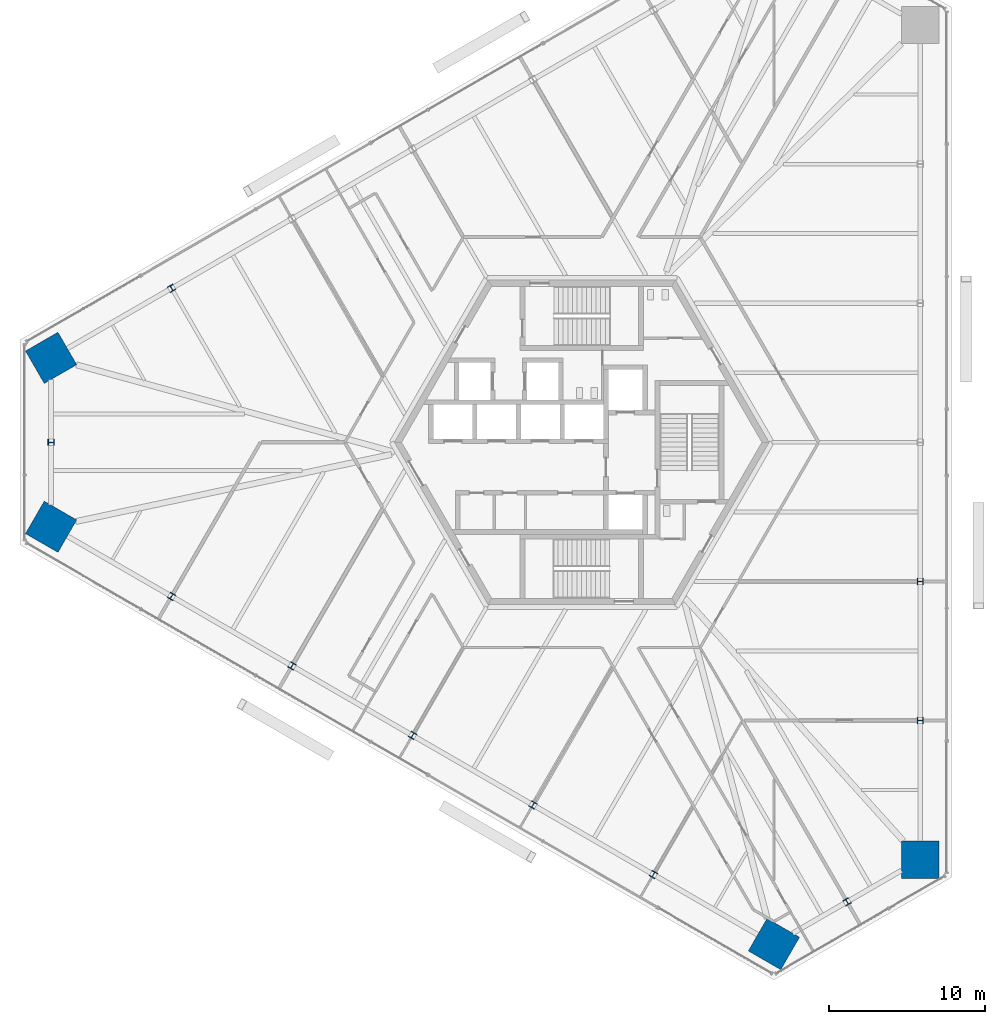
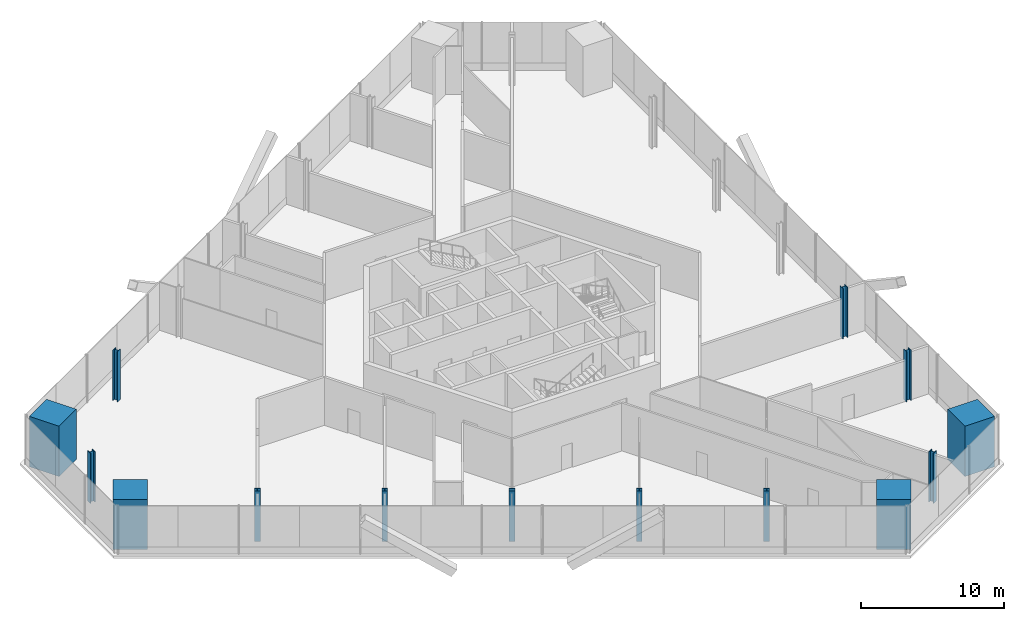
# One storey, part 1 of 16: 14 columns.
"""IFC4 building model written with IfcOpenShell, lengths in metres."""

from ifc_helpers import new_model, si_unit, direction, frame, origin, origin_2d, place, context, subcontext, project, spatial, rectangle, i_section, extrude, source, transform, mapped, material, material_profile, profile_set, type_object, element, save


model = new_model("IFC4")

# Units and contexts
model_context = context("Model", 3, precision=1e-05, world=origin(), true_north=direction((0.0, 1.0)))
body_context = subcontext(model_context, "Body", "Model", "MODEL_VIEW")
ifc_project = project(units=[si_unit("LENGTHUNIT", "METRE"), si_unit("AREAUNIT", "SQUARE_METRE"), si_unit("VOLUMEUNIT", "CUBIC_METRE"), si_unit("PLANEANGLEUNIT", "RADIAN"), si_unit("MASSUNIT", "GRAM", prefix="KILO")], contexts=[model_context])

# Site, building, storey
site_placement = place(None, origin())
site = spatial("IfcSite", under=ifc_project, at=site_placement, CompositionType="ELEMENT")
building_placement = place(site_placement, origin())
building = spatial("IfcBuilding", under=site, at=building_placement, Name="Triune Harvest Tower", CompositionType="ELEMENT")
storey_placement = place(building_placement, frame((0.0, 0.0, 37.5)))
storey = spatial("IfcBuildingStorey", under=building, at=storey_placement, Name="L08", CompositionType="ELEMENT", Elevation=37.5)

# Columns
ifc_material_1 = material(Name="Concrete 70 MPa", Category="concrete")
ifc_material_profile_1 = material_profile(ifc_material_1, rectangle(XDim=2.39990234375, YDim=2.39990234375, at=origin_2d()), Name="Composite 2400x2400")
ifc_profile_set_1 = profile_set([ifc_material_profile_1], Name="Concrete 70 MPa")
column_type_1 = type_object("IfcColumnType", Name="MC-1 Mega column Composite 2400x2400", PredefinedType="COLUMN", material=ifc_profile_set_1)
shared_shape_1 = source(origin(), body_context, "Body", "SweptSolid", [
    extrude(rectangle(XDim=2.39990234375, YDim=2.39990234375, at=origin_2d()), origin(), (0.0, 0.0, 1.0), 4.300048828125),
])
for number, where, z_axis, x_axis, name in (
    (1, (21.679443359375, -26.72998046875, 0.0), (0.0, 0.0, 1.0), (0.0, 1.0, 0.0), "col/L08/M0"),
    (2, (-33.988525390625, 5.409912109375, 0.0), (0.0, 0.0, 1.0), (-0.866025403784, -0.5, 0.0), "col/L08/M14"),
    (3, (-33.988525390625, -5.409912109375, 0.0), (0.0, 0.0, 1.0), (0.866025403784, -0.5, 0.0), "col/L08/M16"),
    (4, (12.30908203125, -32.139892578125, 0.0), (0.0, 0.0, 1.0), (0.866025403784, -0.5, 0.0), "col/L08/M22"),
):
    element("IfcColumn", number, at=place(storey_placement, frame(where, z_axis=z_axis, x_axis=x_axis)), inside=storey, type_object=column_type_1, Name=name, PredefinedType="COLUMN", context=body_context, shape_type="MappedRepresentation", body=[
        mapped(shared_shape_1, transform((0.0, 0.0, 0.0), scale=1.0)),
    ])
ifc_material_2 = material(Name="Steel ASTM A992 Gr 50", Category="steel")
ifc_material_profile_2 = material_profile(ifc_material_2, i_section(OverallWidth=0.40380859375, OverallDepth=0.406494140625, WebThickness=0.027099609375, FlangeThickness=0.043701171875, at=origin_2d()), Name="W14x233")
ifc_profile_set_2 = profile_set([ifc_material_profile_2], Name="Steel ASTM A992 Gr 50")
column_type_2 = type_object("IfcColumnType", Name="PC-1 Perimeter column W14x233", PredefinedType="COLUMN", material=ifc_profile_set_2)
shared_shape_2 = source(origin(), body_context, "Body", "SweptSolid", [
    extrude(i_section(OverallWidth=0.40380859375, OverallDepth=0.406494140625, WebThickness=0.027099609375, FlangeThickness=0.043701171875, at=origin_2d()), origin(), (0.0, 0.0, 1.0), 4.300048828125),
])
for number, where, z_axis, x_axis, name in (
    (5, (21.679443359375, -17.820068359375, 0.0), (0.0, 0.0, 1.0), (0.0, 1.0, 0.0), "col/L08/P1"),
    (6, (21.679443359375, -8.909912109375, 0.0), (0.0, 0.0, 1.0), (0.0, 1.0, 0.0), "col/L08/P2"),
    (7, (-26.272216796875, 9.864990234375, 0.0), (0.0, 0.0, 1.0), (-0.866025403784, -0.5, 0.0), "col/L08/P13"),
    (8, (-33.988525390625, 0.0, 0.0), (0.0, 0.0, 1.0), (0.0, -1.0, 0.0), "col/L08/P15"),
    (9, (-26.272216796875, -9.864990234375, 0.0), (0.0, 0.0, 1.0), (0.866025403784, -0.5, 0.0), "col/L08/P17"),
    (10, (-18.555908203125, -14.320068359375, 0.0), (0.0, 0.0, 1.0), (0.866025403784, -0.5, 0.0), "col/L08/P18"),
    (11, (-10.839599609375, -18.77490234375, 0.0), (0.0, 0.0, 1.0), (0.866025403784, -0.5, 0.0), "col/L08/P19"),
    (12, (-3.12353515625, -23.22998046875, 0.0), (0.0, 0.0, 1.0), (0.866025403784, -0.5, 0.0), "col/L08/P20"),
    (13, (4.5927734375, -27.68505859375, 0.0), (0.0, 0.0, 1.0), (0.866025403784, -0.5, 0.0), "col/L08/P21"),
    (14, (16.994384765625, -29.43505859375, 0.0), (0.0, 0.0, 1.0), (0.866026276448, 0.4999984885, 0.0), "col/L08/P23"),
):
    element("IfcColumn", number, at=place(storey_placement, frame(where, z_axis=z_axis, x_axis=x_axis)), inside=storey, type_object=column_type_2, Name=name, PredefinedType="COLUMN", context=body_context, shape_type="MappedRepresentation", body=[
        mapped(shared_shape_2, transform((0.0, 0.0, 0.0), scale=1.0)),
    ])

save(model, "model.ifc")
